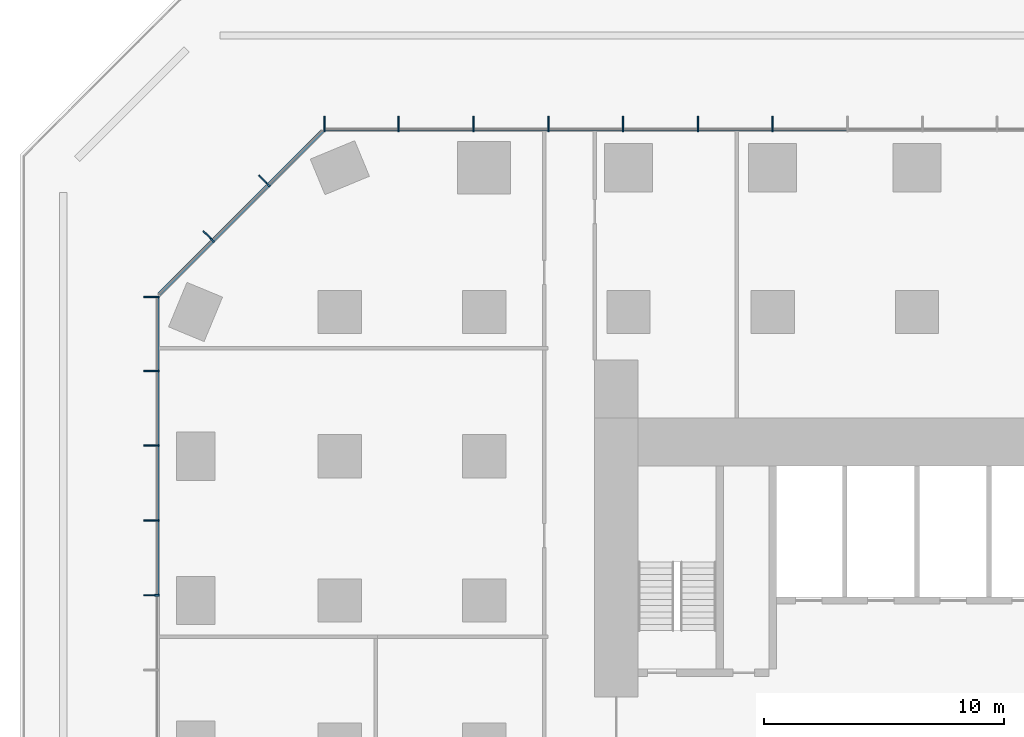
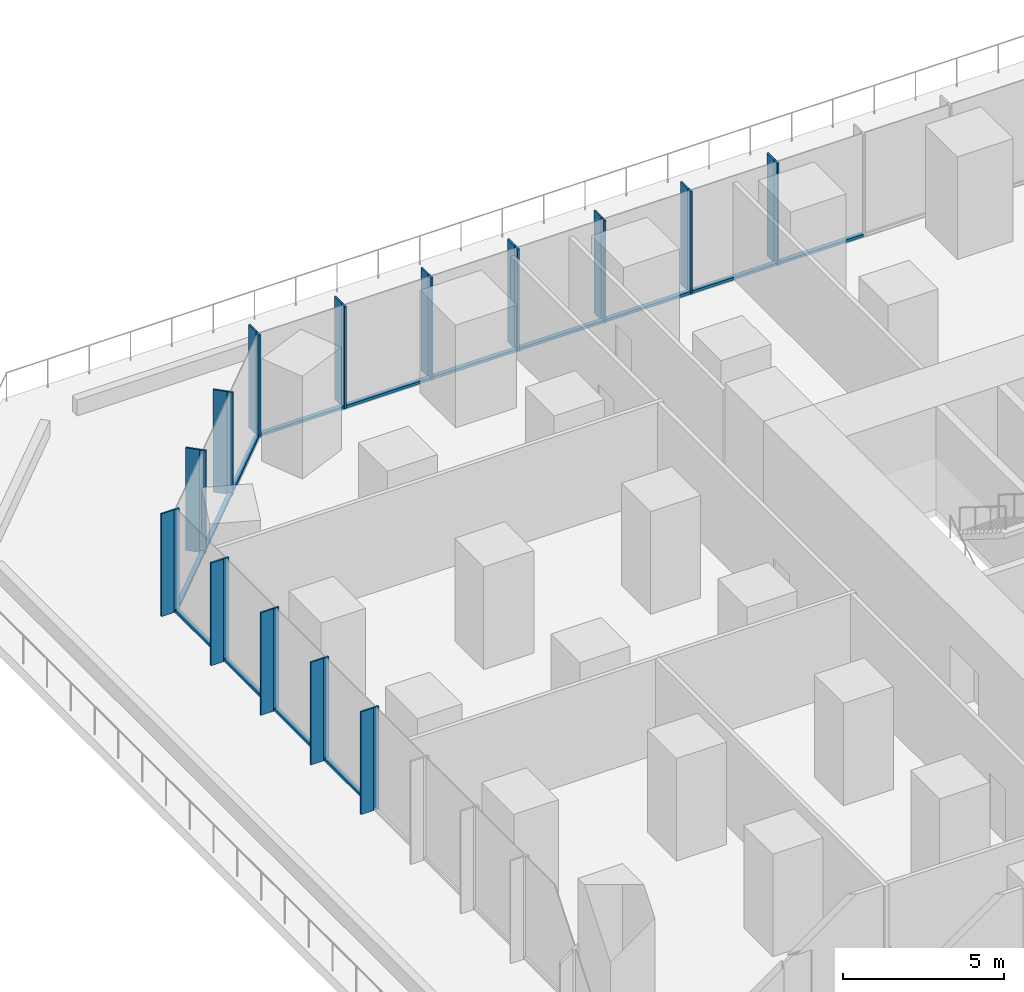
# One storey, part 5 of 11: 42 members, 3 elements without a shape of their own.
"""IFC4 building model written with IfcOpenShell, lengths in metres."""

from ifc_helpers import new_model, si_unit, direction, frame, origin, origin_2d, place, context, subcontext, project, spatial, rectangle, extrude, material, layer, layer_set, material_profile, profile_set, type_object, element, aggregate, save


model = new_model("IFC4")

# Units and contexts
model_context = context("Model", 3, precision=1e-05, world=origin(), true_north=direction((0.0, 1.0)))
body_context = subcontext(model_context, "Body", "Model", "MODEL_VIEW")
ifc_project = project(units=[si_unit("LENGTHUNIT", "METRE"), si_unit("AREAUNIT", "SQUARE_METRE"), si_unit("VOLUMEUNIT", "CUBIC_METRE"), si_unit("PLANEANGLEUNIT", "RADIAN"), si_unit("MASSUNIT", "GRAM", prefix="KILO")], contexts=[model_context])

# Site, building, storey
site_placement = place(None, origin())
site = spatial("IfcSite", under=ifc_project, at=site_placement, CompositionType="ELEMENT")
building_placement = place(site_placement, origin())
building = spatial("IfcBuilding", under=site, at=building_placement, Name="Highveld Stack Headquarters", CompositionType="ELEMENT")
storey_placement = place(building_placement, frame((0.0, 0.0, 18.199951171875)))
storey = spatial("IfcBuildingStorey", under=building, at=storey_placement, Name="L03", CompositionType="ELEMENT", Elevation=18.199951171875)

# Curtain wall, members
ifc_material_1 = material(Name="Aluminium bronze anodised", Category="aluminium")
ifc_layer_1 = layer(ifc_material_1, 0.199951171875)
ifc_layer_set_1 = layer_set([ifc_layer_1], Name="Aluminium bronze anodised")
curtain_wall_type_1 = type_object("IfcCurtainWallType", Name="CW1 TOWER UNITISED CURTAIN WALL", PredefinedType="NOTDEFINED", material=ifc_layer_set_1)
curtain_wall_1_placement = place(storey_placement, origin())
curtain_wall_1 = element("IfcCurtainWall", 1, at=curtain_wall_1_placement, inside=storey, type_object=curtain_wall_type_1, Name="Curtain wall CW1 L03 N", PredefinedType="NOTDEFINED")
ifc_material_2 = material(Name="Aluminium bronze anodised", Category="aluminium")
ifc_material_profile_1 = material_profile(ifc_material_2, rectangle(XDim=0.449951171875, YDim=0.06005859375, at=origin_2d()), Name="FIN 450x60")
ifc_profile_set_1 = profile_set([ifc_material_profile_1], Name="Aluminium bronze anodised")
member_type_1 = type_object("IfcMemberType", Name="CW1 BRONZE FIN 450x60", PredefinedType="USERDEFINED", material=ifc_profile_set_1)
member_1_placement = place(storey_placement, frame((0.0, 25.925048828125, 0.0), z_axis=(0.0, 0.0, 1.0), x_axis=(0.0, -1.0, 0.0)))
member_1 = element("IfcMember", 2, at=member_1_placement, type_object=member_type_1, Name="CW1 fin L03 7", ObjectType="FIN", PredefinedType="USERDEFINED", context=body_context, shape_type="SweptSolid", body=[
    extrude(rectangle(XDim=0.449951171875, YDim=0.06005859375, at=origin_2d()), origin(), (0.0, 0.0, 1.0), 3.900146484375),
])
member_2_placement = place(storey_placement, frame((-3.110595703125, 25.925048828125, 0.0), z_axis=(0.0, 0.0, 1.0), x_axis=(0.0, -1.0, 0.0)))
member_2 = element("IfcMember", 3, at=member_2_placement, type_object=member_type_1, Name="CW1 fin L03 8", ObjectType="FIN", PredefinedType="USERDEFINED", context=body_context, shape_type="SweptSolid", body=[
    extrude(rectangle(XDim=0.449951171875, YDim=0.06005859375, at=origin_2d()), origin(), (0.0, 0.0, 1.0), 3.900146484375),
])
member_3_placement = place(storey_placement, frame((-6.220947265625, 25.925048828125, 0.0), z_axis=(0.0, 0.0, 1.0), x_axis=(0.0, -1.0, 0.0)))
member_3 = element("IfcMember", 4, at=member_3_placement, type_object=member_type_1, Name="CW1 fin L03 9", ObjectType="FIN", PredefinedType="USERDEFINED", context=body_context, shape_type="SweptSolid", body=[
    extrude(rectangle(XDim=0.449951171875, YDim=0.06005859375, at=origin_2d()), origin(), (0.0, 0.0, 1.0), 3.900146484375),
])
member_4_placement = place(storey_placement, frame((-9.331298828125, 25.925048828125, 0.0), z_axis=(0.0, 0.0, 1.0), x_axis=(0.0, -1.0, 0.0)))
member_4 = element("IfcMember", 5, at=member_4_placement, type_object=member_type_1, Name="CW1 fin L03 10", ObjectType="FIN", PredefinedType="USERDEFINED", context=body_context, shape_type="SweptSolid", body=[
    extrude(rectangle(XDim=0.449951171875, YDim=0.06005859375, at=origin_2d()), origin(), (0.0, 0.0, 1.0), 3.900146484375),
])
member_5_placement = place(storey_placement, frame((-12.44189453125, 25.925048828125, 0.0), z_axis=(0.0, 0.0, 1.0), x_axis=(0.0, -1.0, 0.0)))
member_5 = element("IfcMember", 6, at=member_5_placement, type_object=member_type_1, Name="CW1 fin L03 11", ObjectType="FIN", PredefinedType="USERDEFINED", context=body_context, shape_type="SweptSolid", body=[
    extrude(rectangle(XDim=0.449951171875, YDim=0.06005859375, at=origin_2d()), origin(), (0.0, 0.0, 1.0), 3.900146484375),
])
member_6_placement = place(storey_placement, frame((-15.55224609375, 25.925048828125, 0.0), z_axis=(0.0, 0.0, 1.0), x_axis=(0.0, -1.0, 0.0)))
member_6 = element("IfcMember", 7, at=member_6_placement, type_object=member_type_1, Name="CW1 fin L03 12", ObjectType="FIN", PredefinedType="USERDEFINED", context=body_context, shape_type="SweptSolid", body=[
    extrude(rectangle(XDim=0.449951171875, YDim=0.06005859375, at=origin_2d()), origin(), (0.0, 0.0, 1.0), 3.900146484375),
])
member_7_placement = place(storey_placement, frame((-18.630126953125, 25.925048828125, 0.0), z_axis=(0.0, 0.0, 1.0), x_axis=(0.0, -1.0, 0.0)))
member_7 = element("IfcMember", 8, at=member_7_placement, type_object=member_type_1, Name="CW1 fin L03 13", ObjectType="FIN", PredefinedType="USERDEFINED", context=body_context, shape_type="SweptSolid", body=[
    extrude(rectangle(XDim=0.449951171875, YDim=0.06005859375, at=origin_2d()), origin(), (0.0, 0.0, 1.0), 3.900146484375),
])

curtain_wall_2_placement = place(storey_placement, origin())
curtain_wall_2 = element("IfcCurtainWall", 9, at=curtain_wall_2_placement, inside=storey, type_object=curtain_wall_type_1, Name="Curtain wall CW1 L03 W", PredefinedType="NOTDEFINED")
member_8_placement = place(storey_placement, frame((-25.925048828125, 18.630126953125, 0.0), z_axis=(0.0, 0.0, 1.0), x_axis=(1.0, 0.0, 0.0)))
member_8 = element("IfcMember", 10, at=member_8_placement, type_object=member_type_1, Name="CW1 fin L03 1", ObjectType="FIN", PredefinedType="USERDEFINED", context=body_context, shape_type="SweptSolid", body=[
    extrude(rectangle(XDim=0.449951171875, YDim=0.06005859375, at=origin_2d()), origin(), (0.0, 0.0, 1.0), 3.900146484375),
])
member_9_placement = place(storey_placement, frame((-25.925048828125, 15.55224609375, 0.0), z_axis=(0.0, 0.0, 1.0), x_axis=(1.0, 0.0, 0.0)))
member_9 = element("IfcMember", 11, at=member_9_placement, type_object=member_type_1, Name="CW1 fin L03 2", ObjectType="FIN", PredefinedType="USERDEFINED", context=body_context, shape_type="SweptSolid", body=[
    extrude(rectangle(XDim=0.449951171875, YDim=0.06005859375, at=origin_2d()), origin(), (0.0, 0.0, 1.0), 3.900146484375),
])
member_10_placement = place(storey_placement, frame((-25.925048828125, 12.44189453125, 0.0), z_axis=(0.0, 0.0, 1.0), x_axis=(1.0, 0.0, 0.0)))
member_10 = element("IfcMember", 12, at=member_10_placement, type_object=member_type_1, Name="CW1 fin L03 3", ObjectType="FIN", PredefinedType="USERDEFINED", context=body_context, shape_type="SweptSolid", body=[
    extrude(rectangle(XDim=0.449951171875, YDim=0.06005859375, at=origin_2d()), origin(), (0.0, 0.0, 1.0), 3.900146484375),
])
member_11_placement = place(storey_placement, frame((-25.925048828125, 9.331298828125, 0.0), z_axis=(0.0, 0.0, 1.0), x_axis=(1.0, 0.0, 0.0)))
member_11 = element("IfcMember", 13, at=member_11_placement, type_object=member_type_1, Name="CW1 fin L03 4", ObjectType="FIN", PredefinedType="USERDEFINED", context=body_context, shape_type="SweptSolid", body=[
    extrude(rectangle(XDim=0.449951171875, YDim=0.06005859375, at=origin_2d()), origin(), (0.0, 0.0, 1.0), 3.900146484375),
])
member_12_placement = place(storey_placement, frame((-25.925048828125, 6.220947265625, 0.0), z_axis=(0.0, 0.0, 1.0), x_axis=(1.0, 0.0, 0.0)))
member_12 = element("IfcMember", 14, at=member_12_placement, type_object=member_type_1, Name="CW1 fin L03 5", ObjectType="FIN", PredefinedType="USERDEFINED", context=body_context, shape_type="SweptSolid", body=[
    extrude(rectangle(XDim=0.449951171875, YDim=0.06005859375, at=origin_2d()), origin(), (0.0, 0.0, 1.0), 3.900146484375),
])

# Member
ifc_material_3 = material(Name="Aluminium bronze anodised", Category="aluminium")
ifc_material_profile_2 = material_profile(ifc_material_3, rectangle(XDim=0.199951171875, YDim=0.06494140625, at=origin_2d()), Name="CW1 MULLION 65x200")
ifc_profile_set_2 = profile_set([ifc_material_profile_2], Name="Aluminium bronze anodised")
member_type_2 = type_object("IfcMemberType", Name="CW1 MULLION 65x200", PredefinedType="MULLION", material=ifc_profile_set_2)
member_13_placement = place(storey_placement, frame((0.0, 25.60009765625, 0.0), z_axis=(0.0, 0.0, 1.0), x_axis=(0.0, -1.0, 0.0)))
member_13 = element("IfcMember", 15, at=member_13_placement, type_object=member_type_2, Name="CW1 mullion L03 7", PredefinedType="MULLION", context=body_context, shape_type="SweptSolid", body=[
    extrude(rectangle(XDim=0.199951171875, YDim=0.06494140625, at=origin_2d()), origin(), (0.0, 0.0, 1.0), 3.900146484375),
])

member_14_placement = place(storey_placement, frame((-3.110595703125, 25.60009765625, 0.0), z_axis=(0.0, 0.0, 1.0), x_axis=(0.0, -1.0, 0.0)))
member_14 = element("IfcMember", 16, at=member_14_placement, type_object=member_type_2, Name="CW1 mullion L03 8", PredefinedType="MULLION", context=body_context, shape_type="SweptSolid", body=[
    extrude(rectangle(XDim=0.199951171875, YDim=0.06494140625, at=origin_2d()), origin(), (0.0, 0.0, 1.0), 3.900146484375),
])

member_15_placement = place(storey_placement, frame((-6.220947265625, 25.60009765625, 0.0), z_axis=(0.0, 0.0, 1.0), x_axis=(0.0, -1.0, 0.0)))
member_15 = element("IfcMember", 17, at=member_15_placement, type_object=member_type_2, Name="CW1 mullion L03 9", PredefinedType="MULLION", context=body_context, shape_type="SweptSolid", body=[
    extrude(rectangle(XDim=0.199951171875, YDim=0.06494140625, at=origin_2d()), origin(), (0.0, 0.0, 1.0), 3.900146484375),
])

member_16_placement = place(storey_placement, frame((-9.331298828125, 25.60009765625, 0.0), z_axis=(0.0, 0.0, 1.0), x_axis=(0.0, -1.0, 0.0)))
member_16 = element("IfcMember", 18, at=member_16_placement, type_object=member_type_2, Name="CW1 mullion L03 10", PredefinedType="MULLION", context=body_context, shape_type="SweptSolid", body=[
    extrude(rectangle(XDim=0.199951171875, YDim=0.06494140625, at=origin_2d()), origin(), (0.0, 0.0, 1.0), 3.900146484375),
])

member_17_placement = place(storey_placement, frame((-12.44189453125, 25.60009765625, 0.0), z_axis=(0.0, 0.0, 1.0), x_axis=(0.0, -1.0, 0.0)))
member_17 = element("IfcMember", 19, at=member_17_placement, type_object=member_type_2, Name="CW1 mullion L03 11", PredefinedType="MULLION", context=body_context, shape_type="SweptSolid", body=[
    extrude(rectangle(XDim=0.199951171875, YDim=0.06494140625, at=origin_2d()), origin(), (0.0, 0.0, 1.0), 3.900146484375),
])

member_18_placement = place(storey_placement, frame((-15.55224609375, 25.60009765625, 0.0), z_axis=(0.0, 0.0, 1.0), x_axis=(0.0, -1.0, 0.0)))
member_18 = element("IfcMember", 20, at=member_18_placement, type_object=member_type_2, Name="CW1 mullion L03 12", PredefinedType="MULLION", context=body_context, shape_type="SweptSolid", body=[
    extrude(rectangle(XDim=0.199951171875, YDim=0.06494140625, at=origin_2d()), origin(), (0.0, 0.0, 1.0), 3.900146484375),
])

member_19_placement = place(storey_placement, frame((-18.630126953125, 25.60009765625, 0.0), z_axis=(0.0, 0.0, 1.0), x_axis=(0.0, -1.0, 0.0)))
member_19 = element("IfcMember", 21, at=member_19_placement, type_object=member_type_2, Name="CW1 mullion L03 13", PredefinedType="MULLION", context=body_context, shape_type="SweptSolid", body=[
    extrude(rectangle(XDim=0.199951171875, YDim=0.06494140625, at=origin_2d()), origin(), (0.0, 0.0, 1.0), 3.900146484375),
])

member_20_placement = place(storey_placement, frame((-25.60009765625, 18.630126953125, 0.0), z_axis=(0.0, 0.0, 1.0), x_axis=(1.0, 0.0, 0.0)))
member_20 = element("IfcMember", 22, at=member_20_placement, type_object=member_type_2, Name="CW1 mullion L03 1", PredefinedType="MULLION", context=body_context, shape_type="SweptSolid", body=[
    extrude(rectangle(XDim=0.199951171875, YDim=0.06494140625, at=origin_2d()), origin(), (0.0, 0.0, 1.0), 3.900146484375),
])

member_21_placement = place(storey_placement, frame((-25.60009765625, 15.55224609375, 0.0), z_axis=(0.0, 0.0, 1.0), x_axis=(1.0, 0.0, 0.0)))
member_21 = element("IfcMember", 23, at=member_21_placement, type_object=member_type_2, Name="CW1 mullion L03 2", PredefinedType="MULLION", context=body_context, shape_type="SweptSolid", body=[
    extrude(rectangle(XDim=0.199951171875, YDim=0.06494140625, at=origin_2d()), origin(), (0.0, 0.0, 1.0), 3.900146484375),
])

member_22_placement = place(storey_placement, frame((-25.60009765625, 12.44189453125, 0.0), z_axis=(0.0, 0.0, 1.0), x_axis=(1.0, 0.0, 0.0)))
member_22 = element("IfcMember", 24, at=member_22_placement, type_object=member_type_2, Name="CW1 mullion L03 3", PredefinedType="MULLION", context=body_context, shape_type="SweptSolid", body=[
    extrude(rectangle(XDim=0.199951171875, YDim=0.06494140625, at=origin_2d()), origin(), (0.0, 0.0, 1.0), 3.900146484375),
])

member_23_placement = place(storey_placement, frame((-25.60009765625, 9.331298828125, 0.0), z_axis=(0.0, 0.0, 1.0), x_axis=(1.0, 0.0, 0.0)))
member_23 = element("IfcMember", 25, at=member_23_placement, type_object=member_type_2, Name="CW1 mullion L03 4", PredefinedType="MULLION", context=body_context, shape_type="SweptSolid", body=[
    extrude(rectangle(XDim=0.199951171875, YDim=0.06494140625, at=origin_2d()), origin(), (0.0, 0.0, 1.0), 3.900146484375),
])

member_24_placement = place(storey_placement, frame((-25.60009765625, 6.220947265625, 0.0), z_axis=(0.0, 0.0, 1.0), x_axis=(1.0, 0.0, 0.0)))
member_24 = element("IfcMember", 26, at=member_24_placement, type_object=member_type_2, Name="CW1 mullion L03 5", PredefinedType="MULLION", context=body_context, shape_type="SweptSolid", body=[
    extrude(rectangle(XDim=0.199951171875, YDim=0.06494140625, at=origin_2d()), origin(), (0.0, 0.0, 1.0), 3.900146484375),
])

ifc_material_4 = material(Name="Aluminium bronze anodised", Category="aluminium")
ifc_material_profile_3 = material_profile(ifc_material_4, rectangle(XDim=0.14990234375, YDim=0.10009765625, at=origin_2d()), Name="CW1 TRANSOM 150x100")
ifc_profile_set_3 = profile_set([ifc_material_profile_3], Name="Aluminium bronze anodised")
member_type_3 = type_object("IfcMemberType", Name="CW1 STACK TRANSOM 150x100", PredefinedType="USERDEFINED", material=ifc_profile_set_3)
member_25_placement = place(storey_placement, frame((3.077880859375, 25.60009765625, 0.050048828125), z_axis=(-1.0, 0.0, 0.0), x_axis=(0.0, -1.0, 0.0)))
member_25 = element("IfcMember", 27, at=member_25_placement, type_object=member_type_3, Name="CW1 transom L03 6.1", ObjectType="TRANSOM", PredefinedType="USERDEFINED", context=body_context, shape_type="SweptSolid", body=[
    extrude(rectangle(XDim=0.14990234375, YDim=0.10009765625, at=origin_2d()), origin(), (0.0, 0.0, 1.0), 3.04541015625),
])

member_26_placement = place(storey_placement, frame((-0.032470703125, 25.60009765625, 0.050048828125), z_axis=(-1.0, 0.0, 0.0), x_axis=(0.0, -1.0, 0.0)))
member_26 = element("IfcMember", 28, at=member_26_placement, type_object=member_type_3, Name="CW1 transom L03 7.1", ObjectType="TRANSOM", PredefinedType="USERDEFINED", context=body_context, shape_type="SweptSolid", body=[
    extrude(rectangle(XDim=0.14990234375, YDim=0.10009765625, at=origin_2d()), origin(), (0.0, 0.0, 1.0), 3.04541015625),
])

member_27_placement = place(storey_placement, frame((-3.142822265625, 25.60009765625, 0.050048828125), z_axis=(-1.0, 0.0, 0.0), x_axis=(0.0, -1.0, 0.0)))
member_27 = element("IfcMember", 29, at=member_27_placement, type_object=member_type_3, Name="CW1 transom L03 8.1", ObjectType="TRANSOM", PredefinedType="USERDEFINED", context=body_context, shape_type="SweptSolid", body=[
    extrude(rectangle(XDim=0.14990234375, YDim=0.10009765625, at=origin_2d()), origin(), (0.0, 0.0, 1.0), 3.045654296875),
])

member_28_placement = place(storey_placement, frame((-6.25341796875, 25.60009765625, 0.050048828125), z_axis=(-1.0, 0.0, 0.0), x_axis=(0.0, -1.0, 0.0)))
member_28 = element("IfcMember", 30, at=member_28_placement, type_object=member_type_3, Name="CW1 transom L03 9.1", ObjectType="TRANSOM", PredefinedType="USERDEFINED", context=body_context, shape_type="SweptSolid", body=[
    extrude(rectangle(XDim=0.14990234375, YDim=0.10009765625, at=origin_2d()), origin(), (0.0, 0.0, 1.0), 3.04541015625),
])

member_29_placement = place(storey_placement, frame((-9.36376953125, 25.60009765625, 0.050048828125), z_axis=(-1.0, 0.0, 0.0), x_axis=(0.0, -1.0, 0.0)))
member_29 = element("IfcMember", 31, at=member_29_placement, type_object=member_type_3, Name="CW1 transom L03 10.1", ObjectType="TRANSOM", PredefinedType="USERDEFINED", context=body_context, shape_type="SweptSolid", body=[
    extrude(rectangle(XDim=0.14990234375, YDim=0.10009765625, at=origin_2d()), origin(), (0.0, 0.0, 1.0), 3.04541015625),
])

member_30_placement = place(storey_placement, frame((-12.474365234375, 25.60009765625, 0.050048828125), z_axis=(-1.0, 0.0, 0.0), x_axis=(0.0, -1.0, 0.0)))
member_30 = element("IfcMember", 32, at=member_30_placement, type_object=member_type_3, Name="CW1 transom L03 11.1", ObjectType="TRANSOM", PredefinedType="USERDEFINED", context=body_context, shape_type="SweptSolid", body=[
    extrude(rectangle(XDim=0.14990234375, YDim=0.10009765625, at=origin_2d()), origin(), (0.0, 0.0, 1.0), 3.04541015625),
])

member_31_placement = place(storey_placement, frame((-15.584716796875, 25.60009765625, 0.050048828125), z_axis=(-1.0, 0.0, 0.0), x_axis=(0.0, -1.0, 0.0)))
member_31 = element("IfcMember", 33, at=member_31_placement, type_object=member_type_3, Name="CW1 transom L03 12.1", ObjectType="TRANSOM", PredefinedType="USERDEFINED", context=body_context, shape_type="SweptSolid", body=[
    extrude(rectangle(XDim=0.14990234375, YDim=0.10009765625, at=origin_2d()), origin(), (0.0, 0.0, 1.0), 3.012939453125),
])

aggregate(curtain_wall_1, [member_13, member_1, member_14, member_2, member_15, member_3, member_16, member_4, member_17, member_5, member_18, member_6, member_19, member_7, member_25, member_26, member_27, member_28, member_29, member_30, member_31])

member_32_placement = place(storey_placement, frame((-25.60009765625, 18.59765625, 0.050048828125), z_axis=(0.0, -1.0, 0.0), x_axis=(1.0, 0.0, 0.0)))
member_32 = element("IfcMember", 34, at=member_32_placement, type_object=member_type_3, Name="CW1 transom L03 1.1", ObjectType="TRANSOM", PredefinedType="USERDEFINED", context=body_context, shape_type="SweptSolid", body=[
    extrude(rectangle(XDim=0.14990234375, YDim=0.10009765625, at=origin_2d()), origin(), (0.0, 0.0, 1.0), 3.012939453125),
])

member_33_placement = place(storey_placement, frame((-25.60009765625, 15.519775390625, 0.050048828125), z_axis=(0.0, -1.0, 0.0), x_axis=(1.0, 0.0, 0.0)))
member_33 = element("IfcMember", 35, at=member_33_placement, type_object=member_type_3, Name="CW1 transom L03 2.1", ObjectType="TRANSOM", PredefinedType="USERDEFINED", context=body_context, shape_type="SweptSolid", body=[
    extrude(rectangle(XDim=0.14990234375, YDim=0.10009765625, at=origin_2d()), origin(), (0.0, 0.0, 1.0), 3.04541015625),
])

member_34_placement = place(storey_placement, frame((-25.60009765625, 12.4091796875, 0.050048828125), z_axis=(0.0, -1.0, 0.0), x_axis=(1.0, 0.0, 0.0)))
member_34 = element("IfcMember", 36, at=member_34_placement, type_object=member_type_3, Name="CW1 transom L03 3.1", ObjectType="TRANSOM", PredefinedType="USERDEFINED", context=body_context, shape_type="SweptSolid", body=[
    extrude(rectangle(XDim=0.14990234375, YDim=0.10009765625, at=origin_2d()), origin(), (0.0, 0.0, 1.0), 3.045166015625),
])

member_35_placement = place(storey_placement, frame((-25.60009765625, 9.298828125, 0.050048828125), z_axis=(0.0, -1.0, 0.0), x_axis=(1.0, 0.0, 0.0)))
member_35 = element("IfcMember", 37, at=member_35_placement, type_object=member_type_3, Name="CW1 transom L03 4.1", ObjectType="TRANSOM", PredefinedType="USERDEFINED", context=body_context, shape_type="SweptSolid", body=[
    extrude(rectangle(XDim=0.14990234375, YDim=0.10009765625, at=origin_2d()), origin(), (0.0, 0.0, 1.0), 3.04541015625),
])

aggregate(curtain_wall_2, [member_20, member_8, member_21, member_9, member_22, member_10, member_23, member_11, member_24, member_12, member_32, member_33, member_34, member_35])

# Curtain wall, members
ifc_material_5 = material(Name="Aluminium bronze anodised", Category="aluminium")
ifc_layer_2 = layer(ifc_material_5, 0.199951171875)
ifc_layer_set_2 = layer_set([ifc_layer_2], Name="Aluminium bronze anodised")
curtain_wall_type_2 = type_object("IfcCurtainWallType", Name="CW2 TOWER CHAMFER UNITISED CURTAIN WALL", PredefinedType="NOTDEFINED", material=ifc_layer_set_2)
curtain_wall_3_placement = place(storey_placement, origin())
curtain_wall_3 = element("IfcCurtainWall", 38, at=curtain_wall_3_placement, inside=storey, type_object=curtain_wall_type_2, Name="Curtain wall CW2 L03 NW", PredefinedType="NOTDEFINED")
ifc_material_6 = material(Name="Aluminium bronze anodised", Category="aluminium")
ifc_material_profile_4 = material_profile(ifc_material_6, rectangle(XDim=0.449951171875, YDim=0.06005859375, at=origin_2d()), Name="FIN 450x60")
ifc_profile_set_4 = profile_set([ifc_material_profile_4], Name="Aluminium bronze anodised")
member_type_4 = type_object("IfcMemberType", Name="CW2 BRONZE FIN 450x60", PredefinedType="USERDEFINED", material=ifc_profile_set_4)
member_36_placement = place(storey_placement, frame((-21.204833984375, 23.517333984375, 0.0), z_axis=(0.0, 0.0, 1.0), x_axis=(0.707106781187, -0.707106781187, 0.0)))
member_36 = element("IfcMember", 39, at=member_36_placement, type_object=member_type_4, Name="CW2 fin L03 1", ObjectType="FIN", PredefinedType="USERDEFINED", context=body_context, shape_type="SweptSolid", body=[
    extrude(rectangle(XDim=0.449951171875, YDim=0.06005859375, at=origin_2d()), origin(), (0.0, 0.0, 1.0), 3.900146484375),
])
member_37_placement = place(storey_placement, frame((-23.517333984375, 21.204833984375, 0.0), z_axis=(0.0, 0.0, 1.0), x_axis=(0.707106781187, -0.707106781187, 0.0)))
member_37 = element("IfcMember", 40, at=member_37_placement, type_object=member_type_4, Name="CW2 fin L03 2", ObjectType="FIN", PredefinedType="USERDEFINED", context=body_context, shape_type="SweptSolid", body=[
    extrude(rectangle(XDim=0.449951171875, YDim=0.06005859375, at=origin_2d()), origin(), (0.0, 0.0, 1.0), 3.900146484375),
])
ifc_material_7 = material(Name="Aluminium bronze anodised", Category="aluminium")
ifc_material_profile_5 = material_profile(ifc_material_7, rectangle(XDim=0.199951171875, YDim=0.06494140625, at=origin_2d()), Name="CW2 MULLION 65x200")
ifc_profile_set_5 = profile_set([ifc_material_profile_5], Name="Aluminium bronze anodised")
member_type_5 = type_object("IfcMemberType", Name="CW2 MULLION 65x200", PredefinedType="MULLION", material=ifc_profile_set_5)
member_38_placement = place(storey_placement, frame((-20.97509765625, 23.28759765625, 0.0), z_axis=(0.0, 0.0, 1.0), x_axis=(0.707106781187, -0.707106781187, 0.0)))
member_38 = element("IfcMember", 41, at=member_38_placement, type_object=member_type_5, Name="CW2 mullion L03 1", PredefinedType="MULLION", context=body_context, shape_type="SweptSolid", body=[
    extrude(rectangle(XDim=0.199951171875, YDim=0.06494140625, at=origin_2d()), origin(), (0.0, 0.0, 1.0), 3.900146484375),
])
member_39_placement = place(storey_placement, frame((-23.28759765625, 20.97509765625, 0.0), z_axis=(0.0, 0.0, 1.0), x_axis=(0.707106781187, -0.707106781187, 0.0)))
member_39 = element("IfcMember", 42, at=member_39_placement, type_object=member_type_5, Name="CW2 mullion L03 2", PredefinedType="MULLION", context=body_context, shape_type="SweptSolid", body=[
    extrude(rectangle(XDim=0.199951171875, YDim=0.06494140625, at=origin_2d()), origin(), (0.0, 0.0, 1.0), 3.900146484375),
])
ifc_material_8 = material(Name="Aluminium bronze anodised", Category="aluminium")
ifc_material_profile_6 = material_profile(ifc_material_8, rectangle(XDim=0.14990234375, YDim=0.10009765625, at=origin_2d()), Name="CW2 TRANSOM 150x100")
ifc_profile_set_6 = profile_set([ifc_material_profile_6], Name="Aluminium bronze anodised")
member_type_6 = type_object("IfcMemberType", Name="CW2 STACK TRANSOM 150x100", PredefinedType="USERDEFINED", material=ifc_profile_set_6)
member_40_placement = place(storey_placement, frame((-18.7333984375, 25.529296875, 0.050048828125), z_axis=(-0.707106781187, -0.707106781187, 0.0), x_axis=(0.707106781187, -0.707106781187, 0.0)))
member_40 = element("IfcMember", 43, at=member_40_placement, type_object=member_type_6, Name="CW2 transom L03 1.1", ObjectType="TRANSOM", PredefinedType="USERDEFINED", context=body_context, shape_type="SweptSolid", body=[
    extrude(rectangle(XDim=0.14990234375, YDim=0.10009765625, at=origin_2d()), origin(), (0.0, 0.0, 1.0), 3.1376953125),
])
member_41_placement = place(storey_placement, frame((-20.998046875, 23.2646484375, 0.050048828125), z_axis=(-0.707106781187, -0.707106781187, 0.0), x_axis=(0.707106781187, -0.707106781187, 0.0)))
member_41 = element("IfcMember", 44, at=member_41_placement, type_object=member_type_6, Name="CW2 transom L03 2.1", ObjectType="TRANSOM", PredefinedType="USERDEFINED", context=body_context, shape_type="SweptSolid", body=[
    extrude(rectangle(XDim=0.14990234375, YDim=0.10009765625, at=origin_2d()), origin(), (0.0, 0.0, 1.0), 3.20556640625),
])
member_42_placement = place(storey_placement, frame((-23.310546875, 20.9521484375, 0.050048828125), z_axis=(-0.707106781187, -0.707106781187, 0.0), x_axis=(0.707106781187, -0.707106781187, 0.0)))
member_42 = element("IfcMember", 45, at=member_42_placement, type_object=member_type_6, Name="CW2 transom L03 3.1", ObjectType="TRANSOM", PredefinedType="USERDEFINED", context=body_context, shape_type="SweptSolid", body=[
    extrude(rectangle(XDim=0.14990234375, YDim=0.10009765625, at=origin_2d()), origin(), (0.0, 0.0, 1.0), 3.1376953125),
])
aggregate(curtain_wall_3, [member_38, member_36, member_39, member_37, member_40, member_41, member_42])

save(model, "model.ifc")
